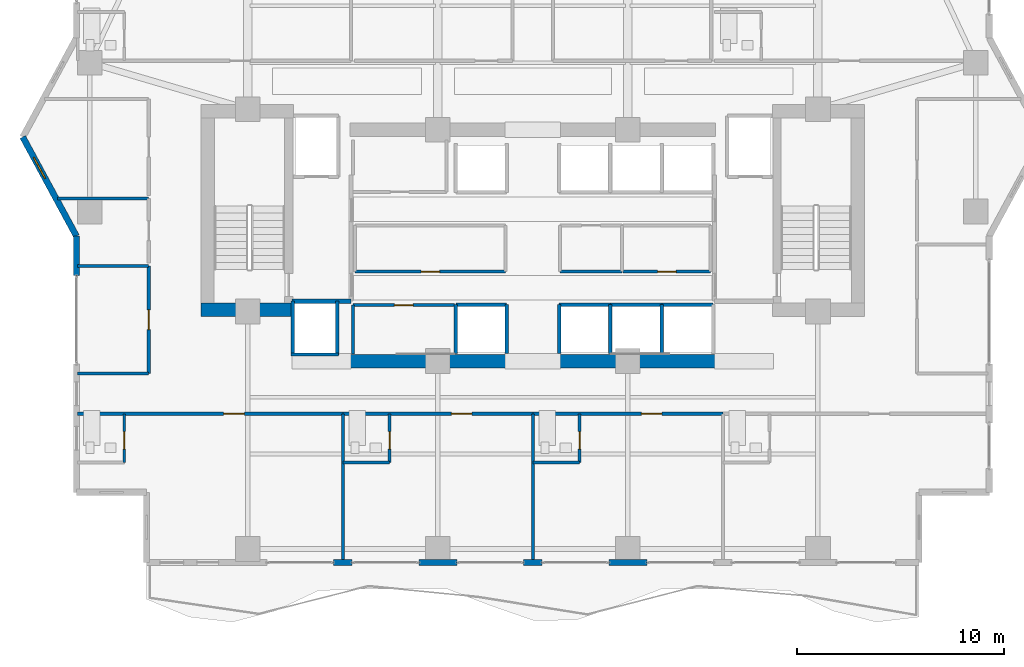
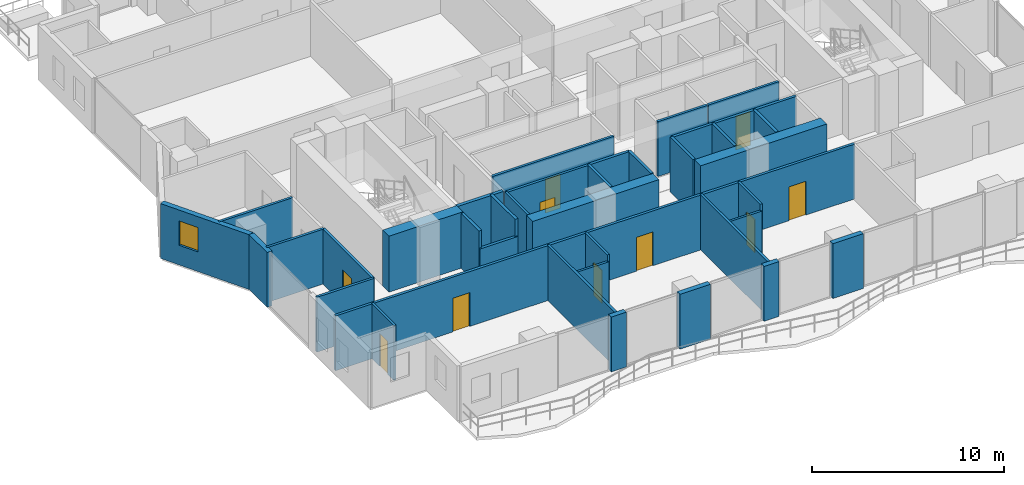
# One storey, part 24 of 33: 41 walls, 10 doors, 1 window, 11 openings.
"""IFC4 building model written with IfcOpenShell, lengths in metres."""

from ifc_helpers import new_model, si_unit, direction, frame, frame_2d, origin, place, context, subcontext, project, spatial, rectangle, extrude, material, layer, layer_set, type_object, element, fill, save


model = new_model("IFC4")

# Units and contexts
model_context = context("Model", 3, precision=1e-05, world=origin(), true_north=direction((0.0, 1.0)))
body_context = subcontext(model_context, "Body", "Model", "MODEL_VIEW")
ifc_project = project(units=[si_unit("LENGTHUNIT", "METRE"), si_unit("AREAUNIT", "SQUARE_METRE"), si_unit("VOLUMEUNIT", "CUBIC_METRE"), si_unit("PLANEANGLEUNIT", "RADIAN"), si_unit("MASSUNIT", "GRAM", prefix="KILO")], contexts=[model_context])

# Site, building, storey
site_placement = place(None, origin())
site = spatial("IfcSite", under=ifc_project, at=site_placement, CompositionType="ELEMENT")
building_placement = place(site_placement, origin())
building = spatial("IfcBuilding", under=site, at=building_placement, Name="Zuhayl Quay Hotel", CompositionType="ELEMENT")
storey_placement = place(building_placement, frame((0.0, 0.0, 229.89990234375)))
storey = spatial("IfcBuildingStorey", under=building, at=storey_placement, Name="L58", CompositionType="ELEMENT", Elevation=229.89990234375)

# Walls
ifc_material_1 = material(Name="Concrete C50/60", Category="concrete")
ifc_layer_1 = layer(ifc_material_1, 0.64990234375, Name="Concrete C50/60", Category="concrete")
ifc_layer_set_1 = layer_set([ifc_layer_1], Name="Concrete C50/60")
wall_type_1 = type_object("IfcWallType", Name="WL_CORE_650", PredefinedType="SHEAR", material=ifc_layer_set_1)
wall_1_placement = place(storey_placement, frame((-16.06005859375, 4.64501953125, 0.0), z_axis=(0.0, 0.0, 1.0), x_axis=(1.0, 0.0, 0.0)))
element("IfcWall", 1, at=wall_1_placement, inside=storey, type_object=wall_type_1, Name="L58 Core Shear Wall CW_SW", PredefinedType="SHEAR", context=body_context, shape_type="SweptSolid", body=[
    extrude(rectangle(XDim=4.4599609375, YDim=0.64990234375, at=frame_2d((2.22998046875, 0.0))), origin(), (0.0, 0.0, 1.0), 3.56005859375),
])
for number, where, z_axis, x_axis, name in (
    (2, (-8.85009765625, 2.14990234375, 0.0), (0.0, 0.0, 1.0), (1.0, 0.0, 0.0), "L58 Core Shear Wall CW_SC_W"),
    (3, (1.25, 2.14990234375, 0.0), (0.0, 0.0, 1.0), (1.0, 0.0, 0.0), "L58 Core Shear Wall CW_SC_E"),
):
    element("IfcWall", number, at=place(storey_placement, frame(where, z_axis=z_axis, x_axis=x_axis)), inside=storey, type_object=wall_type_1, Name=name, PredefinedType="SHEAR", context=body_context, shape_type="SweptSolid", body=[
        extrude(rectangle(XDim=7.60009765625, YDim=0.64990234375, at=frame_2d((3.800048828125, 0.0))), origin(), (0.0, 0.0, 1.0), 3.489990234375),
    ])
ifc_material_2 = material(Name="Precast concrete C45/55", Category="concrete")
ifc_layer_2 = layer(ifc_material_2, 0.300048828125, Name="Precast concrete C45/55", Category="concrete")
ifc_layer_set_2 = layer_set([ifc_layer_2], Name="Precast concrete C45/55")
wall_type_2 = type_object("IfcWallType", Name="WL_EXT_300", PredefinedType="STANDARD", material=ifc_layer_set_2)
wall_2_placement = place(storey_placement, frame((-22.10009765625, 6.300048828125, 0.0), z_axis=(0.0, 0.0, 1.0), x_axis=(0.0, 1.0, 0.0)))
element("IfcWall", 4, at=wall_2_placement, inside=storey, type_object=wall_type_2, Name="L58 Exterior Precast Wall ENV_L58_E02_EW2", PredefinedType="STANDARD", context=body_context, shape_type="SweptSolid", body=[
    extrude(rectangle(XDim=1.89990234375, YDim=0.300048828125, at=frame_2d((0.949951171875, 0.0))), origin(), (0.0, 0.0, 1.0), 3.489990234375),
])

# Wall, opening, window
wall_3_placement = place(storey_placement, frame((-22.10009765625, 8.199951171875, 0.0), z_axis=(0.0, 0.0, 1.0), x_axis=(-0.476258655584, 0.879305233114, 0.0)))
wall_3 = element("IfcWall", 5, at=wall_3_placement, inside=storey, type_object=wall_type_2, Name="L58 Exterior Precast Wall ENV_L58_EW03", PredefinedType="STANDARD", context=body_context, shape_type="SweptSolid", body=[
    extrude(rectangle(XDim=5.458984375, YDim=0.300048828125, at=frame_2d((2.7294921875, 0.0))), origin(), (0.0, 0.0, 1.0), 3.489990234375),
])
opening_1_placement = place(wall_3_placement, frame((3.18505859375, 0.0, 1.25)))
opening_1 = element("IfcOpeningElement", 6, at=opening_1_placement, cuts=wall_3, Name="Opening W01N", PredefinedType="OPENING", context=body_context, shape_type="SweptSolid", body=[
    extrude(rectangle(XDim=1.14990234375, YDim=1.550048828125, at=frame_2d((0.574951171875, 0.77490234375))), frame((0.0, 0.159912109375, 0.0), z_axis=(0.0, -1.0, 0.0), x_axis=(1.0, 0.0, 0.0)), (0.0, 0.0, 1.0), 0.320068359375),
])
ifc_material_3 = material(Name="Dark Ceramic-Fritted Solar Glass", Category="glass")
window_type = type_object("IfcWindowType", Name="WN_NOTCH_1350", PartitioningType="SINGLE_PANEL", PredefinedType="WINDOW", material=ifc_material_3)
window_placement = place(opening_1_placement, origin())
window = element("IfcWindow", 7, at=window_placement, inside=storey, type_object=window_type, Name="L58 Corner Notch Window 3", OverallHeight=1.550048828125, OverallWidth=1.14990234375, PartitioningType="SINGLE_PANEL", PredefinedType="WINDOW", context=body_context, shape_type="SweptSolid", body=[
    extrude(rectangle(XDim=1.14990234375, YDim=1.550048828125, at=frame_2d((0.574951171875, 0.77490234375))), frame((0.0, 0.030029296875, 0.0), z_axis=(0.0, -1.0, 0.0), x_axis=(1.0, 0.0, 0.0)), (0.0, 0.0, 1.0), 0.06005859375),
])
fill(opening_1, window)

# Walls
wall_4_placement = place(storey_placement, frame((5.52001953125, -7.60009765625, 0.0), z_axis=(0.0, 0.0, 1.0), x_axis=(-1.0, 0.0, 0.0)))
element("IfcWall", 8, at=wall_4_placement, inside=storey, type_object=wall_type_2, Name="L58 Exterior Precast Wall ENV_L58_S_EW4", PredefinedType="STANDARD", context=body_context, shape_type="SweptSolid", body=[
    extrude(rectangle(XDim=1.840087890625, YDim=0.300048828125, at=frame_2d((0.919921875, 0.0))), origin(), (0.0, 0.0, 1.0), 3.489990234375),
])
wall_5_placement = place(storey_placement, frame((0.449951171875, -7.60009765625, 0.0), z_axis=(0.0, 0.0, 1.0), x_axis=(-1.0, 0.0, 0.0)))
element("IfcWall", 9, at=wall_5_placement, inside=storey, type_object=wall_type_2, Name="L58 Exterior Precast Wall ENV_L58_S_EW5", PredefinedType="STANDARD", context=body_context, shape_type="SweptSolid", body=[
    extrude(rectangle(XDim=0.89990234375, YDim=0.300048828125, at=frame_2d((0.449951171875, 0.0))), origin(), (0.0, 0.0, 1.0), 3.489990234375),
])
wall_6_placement = place(storey_placement, frame((-3.679931640625, -7.60009765625, 0.0), z_axis=(0.0, 0.0, 1.0), x_axis=(-1.0, 0.0, 0.0)))
element("IfcWall", 10, at=wall_6_placement, inside=storey, type_object=wall_type_2, Name="L58 Exterior Precast Wall ENV_L58_S_EW6", PredefinedType="STANDARD", context=body_context, shape_type="SweptSolid", body=[
    extrude(rectangle(XDim=1.840087890625, YDim=0.300048828125, at=frame_2d((0.919921875, 0.0))), origin(), (0.0, 0.0, 1.0), 3.489990234375),
])
wall_7_placement = place(storey_placement, frame((-8.75, -7.60009765625, 0.0), z_axis=(0.0, 0.0, 1.0), x_axis=(-1.0, 0.0, 0.0)))
element("IfcWall", 11, at=wall_7_placement, inside=storey, type_object=wall_type_2, Name="L58 Exterior Precast Wall ENV_L58_S_EW7", PredefinedType="STANDARD", context=body_context, shape_type="SweptSolid", body=[
    extrude(rectangle(XDim=0.89990234375, YDim=0.300048828125, at=frame_2d((0.449951171875, 0.0))), origin(), (0.0, 0.0, 1.0), 3.489990234375),
])

# Wall, opening, door
ifc_material_4 = material(Name="Acoustic Gypsum Partition STC-58")
ifc_layer_3 = layer(ifc_material_4, 0.14990234375, Name="Acoustic Gypsum Partition STC-58")
ifc_layer_set_3 = layer_set([ifc_layer_3], Name="Acoustic Gypsum Partition STC-58")
wall_type_3 = type_object("IfcWallType", Name="WL_PART_150", PredefinedType="PARTITIONING", material=ifc_layer_set_3)
wall_8_placement = place(storey_placement, frame((-8.7099609375, 4.860107421875, 0.0), z_axis=(0.0, 0.0, 1.0), x_axis=(1.0, 0.0, 0.0)))
wall_8 = element("IfcWall", 12, at=wall_8_placement, inside=storey, type_object=wall_type_3, Name="L58 Partition IW_L58_FLP_S_N", PredefinedType="PARTITIONING", context=body_context, shape_type="SweptSolid", body=[
    extrude(rectangle(XDim=4.919921875, YDim=0.14990234375, at=frame_2d((2.4599609375, 0.0))), origin(), (0.0, 0.0, 1.0), 3.489990234375),
])
opening_2_placement = place(wall_8_placement, frame((2.010009765625, 0.0, 0.0)))
opening_2 = element("IfcOpeningElement", 13, at=opening_2_placement, cuts=wall_8, Name="Opening D06", PredefinedType="OPENING", context=body_context, shape_type="SweptSolid", body=[
    extrude(rectangle(XDim=0.89990234375, YDim=2.14990234375, at=frame_2d((0.449951171875, 1.074951171875))), frame((0.0, 0.0849609375, 0.0), z_axis=(0.0, -1.0, 0.0), x_axis=(1.0, 0.0, 0.0)), (0.0, 0.0, 1.0), 0.169921875),
])
ifc_material_5 = material(Name="Steel ASTM A992 Grade 50", Category="steel")
door_type_1 = type_object("IfcDoorType", Name="DR_INT_900", OperationType="NOTDEFINED", PredefinedType="DOOR", material=ifc_material_5)
door_1_placement = place(opening_2_placement, origin())
door_1 = element("IfcDoor", 14, at=door_1_placement, inside=storey, type_object=door_type_1, Name="L58 Sky-Zone Butler Servery Door", OperationType="SINGLE_SWING_LEFT", OverallHeight=2.14990234375, OverallWidth=0.89990234375, PredefinedType="DOOR", context=body_context, shape_type="SweptSolid", body=[
    extrude(rectangle(XDim=0.89990234375, YDim=2.14990234375, at=frame_2d((0.449951171875, 1.074951171875))), frame((0.0, 0.02490234375, 0.0), z_axis=(0.0, -1.0, 0.0), x_axis=(1.0, 0.0, 0.0)), (0.0, 0.0, 1.0), 0.050048828125),
])
fill(opening_2, door_1)

wall_9_placement = place(storey_placement, frame((-8.610107421875, 6.47998046875, 0.0), z_axis=(0.0, 0.0, 1.0), x_axis=(1.0, 0.0, 0.0)))
wall_9 = element("IfcWall", 15, at=wall_9_placement, inside=storey, type_object=wall_type_3, Name="L58 Partition IW_L58_CORE_EL_S", PredefinedType="PARTITIONING", context=body_context, shape_type="SweptSolid", body=[
    extrude(rectangle(XDim=7.2900390625, YDim=0.14990234375, at=frame_2d((3.64501953125, 0.0))), origin(), (0.0, 0.0, 1.0), 3.489990234375),
])
opening_3_placement = place(wall_9_placement, frame((3.195068359375, 0.0, 0.0)))
opening_3 = element("IfcOpeningElement", 16, at=opening_3_placement, cuts=wall_9, Name="Opening D06", PredefinedType="OPENING", context=body_context, shape_type="SweptSolid", body=[
    extrude(rectangle(XDim=0.89990234375, YDim=2.14990234375, at=frame_2d((0.449951171875, 1.074951171875))), frame((0.0, 0.0849609375, 0.0), z_axis=(0.0, -1.0, 0.0), x_axis=(1.0, 0.0, 0.0)), (0.0, 0.0, 1.0), 0.169921875),
])
door_2_placement = place(opening_3_placement, origin())
door_2 = element("IfcDoor", 17, at=door_2_placement, inside=storey, type_object=door_type_1, Name="L58 Floor Electrical Plant Room Door", OperationType="SINGLE_SWING_LEFT", OverallHeight=2.14990234375, OverallWidth=0.89990234375, PredefinedType="DOOR", context=body_context, shape_type="SweptSolid", body=[
    extrude(rectangle(XDim=0.89990234375, YDim=2.14990234375, at=frame_2d((0.449951171875, 1.074951171875))), frame((0.0, 0.02490234375, 0.0), z_axis=(0.0, -1.0, 0.0), x_axis=(1.0, 0.0, 0.0)), (0.0, 0.0, 1.0), 0.050048828125),
])
fill(opening_3, door_2)

wall_10_placement = place(storey_placement, frame((4.3701171875, 6.47998046875, 0.0), z_axis=(0.0, 0.0, 1.0), x_axis=(1.0, 0.0, 0.0)))
wall_10 = element("IfcWall", 18, at=wall_10_placement, inside=storey, type_object=wall_type_3, Name="L58 Partition IW_L58_CORE_LN_S", PredefinedType="PARTITIONING", context=body_context, shape_type="SweptSolid", body=[
    extrude(rectangle(XDim=4.239990234375, YDim=0.14990234375, at=frame_2d((2.1201171875, 0.0))), origin(), (0.0, 0.0, 1.0), 3.489990234375),
])
opening_4_placement = place(wall_10_placement, frame((1.669921875, 0.0, 0.0)))
opening_4 = element("IfcOpeningElement", 19, at=opening_4_placement, cuts=wall_10, Name="Opening D06", PredefinedType="OPENING", context=body_context, shape_type="SweptSolid", body=[
    extrude(rectangle(XDim=0.89990234375, YDim=2.14990234375, at=frame_2d((0.449951171875, 1.074951171875))), frame((0.0, 0.0849609375, 0.0), z_axis=(0.0, -1.0, 0.0), x_axis=(1.0, 0.0, 0.0)), (0.0, 0.0, 1.0), 0.169921875),
])
door_3_placement = place(opening_4_placement, origin())
door_3 = element("IfcDoor", 20, at=door_3_placement, inside=storey, type_object=door_type_1, Name="L58 Core Linen Store Door", OperationType="SINGLE_SWING_LEFT", OverallHeight=2.14990234375, OverallWidth=0.89990234375, PredefinedType="DOOR", context=body_context, shape_type="SweptSolid", body=[
    extrude(rectangle(XDim=0.89990234375, YDim=2.14990234375, at=frame_2d((0.449951171875, 1.074951171875))), frame((0.0, 0.02490234375, 0.0), z_axis=(0.0, -1.0, 0.0), x_axis=(1.0, 0.0, 0.0)), (0.0, 0.0, 1.0), 0.050048828125),
])
fill(opening_4, door_3)

# Walls
wall_11_placement = place(storey_placement, frame((-8.7099609375, 2.489990234375, 0.0), z_axis=(0.0, 0.0, 1.0), x_axis=(0.0, 1.0, 0.0)))
element("IfcWall", 21, at=wall_11_placement, inside=storey, type_object=wall_type_3, Name="L58 Partition IW_L58_FLP_S_W", PredefinedType="PARTITIONING", context=body_context, shape_type="SweptSolid", body=[
    extrude(rectangle(XDim=2.3701171875, YDim=0.14990234375, at=frame_2d((1.18505859375, 0.0))), origin(), (0.0, 0.0, 1.0), 3.489990234375),
])
wall_12_placement = place(storey_placement, frame((1.320068359375, 6.47998046875, 0.0), z_axis=(0.0, 0.0, 1.0), x_axis=(1.0, 0.0, 0.0)))
element("IfcWall", 22, at=wall_12_placement, inside=storey, type_object=wall_type_3, Name="L58 Partition IW_L58_CORE_IT_S", PredefinedType="PARTITIONING", context=body_context, shape_type="SweptSolid", body=[
    extrude(rectangle(XDim=2.989990234375, YDim=0.14990234375, at=frame_2d((1.4951171875, 0.0))), origin(), (0.0, 0.0, 1.0), 3.489990234375),
])
for number, where, z_axis, x_axis, name in (
    (23, (-9.199951171875, -7.52001953125, 0.0), (0.0, 0.0, 1.0), (0.0, 1.0, 0.0), "L58 Partition IW_L58_SU01_E"),
    (24, (0.0, -7.52001953125, 0.0), (0.0, 0.0, 1.0), (0.0, 1.0, 0.0), "L58 Partition IW_L58_SU02_E"),
):
    element("IfcWall", number, at=place(storey_placement, frame(where, z_axis=z_axis, x_axis=x_axis)), inside=storey, type_object=wall_type_3, Name=name, PredefinedType="PARTITIONING", context=body_context, shape_type="SweptSolid", body=[
        extrude(rectangle(XDim=7.1201171875, YDim=0.14990234375, at=frame_2d((3.56005859375, 0.0))), origin(), (0.0, 0.0, 1.0), 3.489990234375),
    ])
for number, where, z_axis, x_axis, name in (
    (25, (-22.0400390625, 1.550048828125, 0.0), (0.0, 0.0, 1.0), (1.0, 0.0, 0.0), "L58 Partition IW_L58_WPROW_1_S"),
    (26, (-22.0400390625, 6.75, 0.0), (0.0, 0.0, 1.0), (1.0, 0.0, 0.0), "L58 Partition IW_L58_WPROW_1_N"),
):
    element("IfcWall", number, at=place(storey_placement, frame(where, z_axis=z_axis, x_axis=x_axis)), inside=storey, type_object=wall_type_3, Name=name, PredefinedType="PARTITIONING", context=body_context, shape_type="SweptSolid", body=[
        extrude(rectangle(XDim=3.43994140625, YDim=0.14990234375, at=frame_2d((1.719970703125, 0.0))), origin(), (0.0, 0.0, 1.0), 3.489990234375),
    ])
wall_13_placement = place(storey_placement, frame((-23.02587890625, 10.02001953125, 0.0), z_axis=(0.0, 0.0, 1.0), x_axis=(1.0, 0.0, 0.0)))
element("IfcWall", 27, at=wall_13_placement, inside=storey, type_object=wall_type_3, Name="L58 Partition IW_L58_WPROW_2_N", PredefinedType="PARTITIONING", context=body_context, shape_type="SweptSolid", body=[
    extrude(rectangle(XDim=4.42578125, YDim=0.14990234375, at=frame_2d((2.212890625, 0.0))), origin(), (0.0, 0.0, 1.0), 3.489990234375),
])

# Wall, opening, door
ifc_layer_4 = layer(ifc_material_4, 0.159912109375, Name="Acoustic Gypsum Partition STC-58")
ifc_layer_set_4 = layer_set([ifc_layer_4], Name="Acoustic Gypsum Partition STC-58")
wall_type_4 = type_object("IfcWallType", Name="WL_PART_CORR_160", PredefinedType="PARTITIONING", material=ifc_layer_set_4)
wall_14_placement = place(storey_placement, frame((-22.0400390625, -0.39990234375, 0.0), z_axis=(0.0, 0.0, 1.0), x_axis=(1.0, 0.0, 0.0)))
wall_14 = element("IfcWall", 28, at=wall_14_placement, inside=storey, type_object=wall_type_4, Name="L58 Partition IW_L58_SU01_COR", PredefinedType="PARTITIONING", context=body_context, shape_type="SweptSolid", body=[
    extrude(rectangle(XDim=12.840087890625, YDim=0.159912109375, at=frame_2d((6.419921875, 0.0))), origin(), (0.0, 0.0, 1.0), 3.489990234375),
])
opening_5_placement = place(wall_14_placement, frame((7.070068359375, 0.0, 0.0)))
opening_5 = element("IfcOpeningElement", 29, at=opening_5_placement, cuts=wall_14, Name="Opening D03L", PredefinedType="OPENING", context=body_context, shape_type="SweptSolid", body=[
    extrude(rectangle(XDim=1.0, YDim=2.14990234375, at=frame_2d((0.5, 1.074951171875))), frame((0.0, 0.08984375, 0.0), z_axis=(0.0, -1.0, 0.0), x_axis=(1.0, 0.0, 0.0)), (0.0, 0.0, 1.0), 0.179931640625),
])
ifc_material_6 = material(Name="Solid Walnut Acoustic Fire Door")
door_type_2 = type_object("IfcDoorType", Name="DR_SUITE_1000", OperationType="NOTDEFINED", PredefinedType="DOOR", material=ifc_material_6)
door_4_placement = place(opening_5_placement, origin())
door_4 = element("IfcDoor", 30, at=door_4_placement, inside=storey, type_object=door_type_2, Name="L58 City-View Junior Suite L58-01 Entrance Door", OperationType="SINGLE_SWING_LEFT", OverallHeight=2.14990234375, OverallWidth=1.0, PredefinedType="DOOR", context=body_context, shape_type="SweptSolid", body=[
    extrude(rectangle(XDim=1.0, YDim=2.14990234375, at=frame_2d((0.5, 1.074951171875))), frame((0.0, 0.02490234375, 0.0), z_axis=(0.0, -1.0, 0.0), x_axis=(1.0, 0.0, 0.0)), (0.0, 0.0, 1.0), 0.050048828125),
])
fill(opening_5, door_4)

wall_15_placement = place(storey_placement, frame((-9.199951171875, -0.39990234375, 0.0), z_axis=(0.0, 0.0, 1.0), x_axis=(1.0, 0.0, 0.0)))
wall_15 = element("IfcWall", 31, at=wall_15_placement, inside=storey, type_object=wall_type_4, Name="L58 Partition IW_L58_SU02_COR", PredefinedType="PARTITIONING", context=body_context, shape_type="SweptSolid", body=[
    extrude(rectangle(XDim=9.199951171875, YDim=0.159912109375, at=frame_2d((4.60009765625, 0.0))), origin(), (0.0, 0.0, 1.0), 3.489990234375),
])
opening_6_placement = place(wall_15_placement, frame((5.25, 0.0, 0.0)))
opening_6 = element("IfcOpeningElement", 32, at=opening_6_placement, cuts=wall_15, Name="Opening D03L", PredefinedType="OPENING", context=body_context, shape_type="SweptSolid", body=[
    extrude(rectangle(XDim=1.0, YDim=2.14990234375, at=frame_2d((0.5, 1.074951171875))), frame((0.0, 0.08984375, 0.0), z_axis=(0.0, -1.0, 0.0), x_axis=(1.0, 0.0, 0.0)), (0.0, 0.0, 1.0), 0.179931640625),
])
door_5_placement = place(opening_6_placement, origin())
door_5 = element("IfcDoor", 33, at=door_5_placement, inside=storey, type_object=door_type_2, Name="L58 City-View Junior Suite L58-02 Entrance Door", OperationType="SINGLE_SWING_LEFT", OverallHeight=2.14990234375, OverallWidth=1.0, PredefinedType="DOOR", context=body_context, shape_type="SweptSolid", body=[
    extrude(rectangle(XDim=1.0, YDim=2.14990234375, at=frame_2d((0.5, 1.074951171875))), frame((0.0, 0.02490234375, 0.0), z_axis=(0.0, -1.0, 0.0), x_axis=(1.0, 0.0, 0.0)), (0.0, 0.0, 1.0), 0.050048828125),
])
fill(opening_6, door_5)

wall_16_placement = place(storey_placement, frame((0.0, -0.39990234375, 0.0), z_axis=(0.0, 0.0, 1.0), x_axis=(1.0, 0.0, 0.0)))
wall_16 = element("IfcWall", 34, at=wall_16_placement, inside=storey, type_object=wall_type_4, Name="L58 Partition IW_L58_SU03_COR", PredefinedType="PARTITIONING", context=body_context, shape_type="SweptSolid", body=[
    extrude(rectangle(XDim=9.199951171875, YDim=0.159912109375, at=frame_2d((4.60009765625, 0.0))), origin(), (0.0, 0.0, 1.0), 3.489990234375),
])
opening_7_placement = place(wall_16_placement, frame((5.25, 0.0, 0.0)))
opening_7 = element("IfcOpeningElement", 35, at=opening_7_placement, cuts=wall_16, Name="Opening D03L", PredefinedType="OPENING", context=body_context, shape_type="SweptSolid", body=[
    extrude(rectangle(XDim=1.0, YDim=2.14990234375, at=frame_2d((0.5, 1.074951171875))), frame((0.0, 0.08984375, 0.0), z_axis=(0.0, -1.0, 0.0), x_axis=(1.0, 0.0, 0.0)), (0.0, 0.0, 1.0), 0.179931640625),
])
door_6_placement = place(opening_7_placement, origin())
door_6 = element("IfcDoor", 36, at=door_6_placement, inside=storey, type_object=door_type_2, Name="L58 City-View Junior Suite L58-03 Entrance Door", OperationType="SINGLE_SWING_LEFT", OverallHeight=2.14990234375, OverallWidth=1.0, PredefinedType="DOOR", context=body_context, shape_type="SweptSolid", body=[
    extrude(rectangle(XDim=1.0, YDim=2.14990234375, at=frame_2d((0.5, 1.074951171875))), frame((0.0, 0.02490234375, 0.0), z_axis=(0.0, -1.0, 0.0), x_axis=(1.0, 0.0, 0.0)), (0.0, 0.0, 1.0), 0.050048828125),
])
fill(opening_7, door_6)

wall_17_placement = place(storey_placement, frame((-18.60009765625, 1.550048828125, 0.0), z_axis=(0.0, 0.0, 1.0), x_axis=(0.0, 1.0, 0.0)))
wall_17 = element("IfcWall", 37, at=wall_17_placement, inside=storey, type_object=wall_type_4, Name="L58 Partition IW_L58_WPROW_1_E", PredefinedType="PARTITIONING", context=body_context, shape_type="SweptSolid", body=[
    extrude(rectangle(XDim=5.199951171875, YDim=0.159912109375, at=frame_2d((2.60009765625, 0.0))), origin(), (0.0, 0.0, 1.0), 3.489990234375),
])
opening_8_placement = place(wall_17_placement, frame((2.125, 0.0, 0.0)))
opening_8 = element("IfcOpeningElement", 38, at=opening_8_placement, cuts=wall_17, Name="Opening D03", PredefinedType="OPENING", context=body_context, shape_type="SweptSolid", body=[
    extrude(rectangle(XDim=0.949951171875, YDim=2.14990234375, at=frame_2d((0.47509765625, 1.074951171875))), frame((0.0, 0.08984375, 0.0), z_axis=(0.0, -1.0, 0.0), x_axis=(1.0, 0.0, 0.0)), (0.0, 0.0, 1.0), 0.179931640625),
])
door_type_3 = type_object("IfcDoorType", Name="DR_SUITE_950", OperationType="NOTDEFINED", PredefinedType="DOOR", material=ifc_material_6)
door_7_placement = place(opening_8_placement, origin())
door_7 = element("IfcDoor", 39, at=door_7_placement, inside=storey, type_object=door_type_3, Name="L58 West Prow Office L58 Door", OperationType="SINGLE_SWING_RIGHT", OverallHeight=2.14990234375, OverallWidth=0.949951171875, PredefinedType="DOOR", context=body_context, shape_type="SweptSolid", body=[
    extrude(rectangle(XDim=0.949951171875, YDim=2.14990234375, at=frame_2d((0.47509765625, 1.074951171875))), frame((0.0, 0.02490234375, 0.0), z_axis=(0.0, -1.0, 0.0), x_axis=(1.0, 0.0, 0.0)), (0.0, 0.0, 1.0), 0.050048828125),
])
fill(opening_8, door_7)

ifc_material_7 = material(Name="Moisture-Resistant Sanitarychase Gypsum")
ifc_layer_5 = layer(ifc_material_7, 0.135009765625, Name="Moisture-Resistant Sanitarychase Gypsum")
ifc_layer_set_5 = layer_set([ifc_layer_5], Name="Moisture-Resistant Sanitarychase Gypsum")
wall_type_5 = type_object("IfcWallType", Name="WL_PART_PLUMB_150", PredefinedType="PLUMBINGWALL", material=ifc_layer_set_5)
wall_18_placement = place(storey_placement, frame((-19.780029296875, -2.760009765625, 0.0), z_axis=(0.0, 0.0, 1.0), x_axis=(0.0, 1.0, 0.0)))
wall_18 = element("IfcWall", 40, at=wall_18_placement, inside=storey, type_object=wall_type_5, Name="L58 Partition IW_L58_SU01_BE", PredefinedType="PLUMBINGWALL", context=body_context, shape_type="SweptSolid", body=[
    extrude(rectangle(XDim=2.360107421875, YDim=0.135009765625, at=frame_2d((1.18017578125, 0.0))), origin(), (0.0, 0.0, 1.0), 3.489990234375),
])
opening_9_placement = place(wall_18_placement, frame((0.64990234375, 0.0, 0.0)))
opening_9 = element("IfcOpeningElement", 41, at=opening_9_placement, cuts=wall_18, Name="Opening D04", PredefinedType="OPENING", context=body_context, shape_type="SweptSolid", body=[
    extrude(rectangle(XDim=0.85009765625, YDim=2.10009765625, at=frame_2d((0.425048828125, 1.050048828125))), frame((0.0, 0.077392578125, 0.0), z_axis=(0.0, -1.0, 0.0), x_axis=(1.0, 0.0, 0.0)), (0.0, 0.0, 1.0), 0.155029296875),
])
ifc_material_8 = material(Name="Moisture-Resistant Walnut Veneer")
door_type_4 = type_object("IfcDoorType", Name="DR_BATH_850", OperationType="NOTDEFINED", PredefinedType="DOOR", material=ifc_material_8)
door_8_placement = place(opening_9_placement, origin())
door_8 = element("IfcDoor", 42, at=door_8_placement, inside=storey, type_object=door_type_4, Name="L58 City-View Junior Suite L58-01 En-Suite Door", OperationType="SINGLE_SWING_RIGHT", OverallHeight=2.10009765625, OverallWidth=0.85009765625, PredefinedType="DOOR", context=body_context, shape_type="SweptSolid", body=[
    extrude(rectangle(XDim=0.85009765625, YDim=2.10009765625, at=frame_2d((0.425048828125, 1.050048828125))), frame((0.0, 0.02490234375, 0.0), z_axis=(0.0, -1.0, 0.0), x_axis=(1.0, 0.0, 0.0)), (0.0, 0.0, 1.0), 0.050048828125),
])
fill(opening_9, door_8)

wall_19_placement = place(storey_placement, frame((-6.93994140625, -2.760009765625, 0.0), z_axis=(0.0, 0.0, 1.0), x_axis=(0.0, 1.0, 0.0)))
wall_19 = element("IfcWall", 43, at=wall_19_placement, inside=storey, type_object=wall_type_5, Name="L58 Partition IW_L58_SU02_BE", PredefinedType="PLUMBINGWALL", context=body_context, shape_type="SweptSolid", body=[
    extrude(rectangle(XDim=2.360107421875, YDim=0.135009765625, at=frame_2d((1.18017578125, 0.0))), origin(), (0.0, 0.0, 1.0), 3.489990234375),
])
opening_10_placement = place(wall_19_placement, frame((0.64990234375, 0.0, 0.0)))
opening_10 = element("IfcOpeningElement", 44, at=opening_10_placement, cuts=wall_19, Name="Opening D04", PredefinedType="OPENING", context=body_context, shape_type="SweptSolid", body=[
    extrude(rectangle(XDim=0.85009765625, YDim=2.10009765625, at=frame_2d((0.425048828125, 1.050048828125))), frame((0.0, 0.077392578125, 0.0), z_axis=(0.0, -1.0, 0.0), x_axis=(1.0, 0.0, 0.0)), (0.0, 0.0, 1.0), 0.155029296875),
])
door_9_placement = place(opening_10_placement, origin())
door_9 = element("IfcDoor", 45, at=door_9_placement, inside=storey, type_object=door_type_4, Name="L58 City-View Junior Suite L58-02 En-Suite Door", OperationType="SINGLE_SWING_RIGHT", OverallHeight=2.10009765625, OverallWidth=0.85009765625, PredefinedType="DOOR", context=body_context, shape_type="SweptSolid", body=[
    extrude(rectangle(XDim=0.85009765625, YDim=2.10009765625, at=frame_2d((0.425048828125, 1.050048828125))), frame((0.0, 0.02490234375, 0.0), z_axis=(0.0, -1.0, 0.0), x_axis=(1.0, 0.0, 0.0)), (0.0, 0.0, 1.0), 0.050048828125),
])
fill(opening_10, door_9)

wall_20_placement = place(storey_placement, frame((2.260009765625, -2.760009765625, 0.0), z_axis=(0.0, 0.0, 1.0), x_axis=(0.0, 1.0, 0.0)))
wall_20 = element("IfcWall", 46, at=wall_20_placement, inside=storey, type_object=wall_type_5, Name="L58 Partition IW_L58_SU03_BE", PredefinedType="PLUMBINGWALL", context=body_context, shape_type="SweptSolid", body=[
    extrude(rectangle(XDim=2.360107421875, YDim=0.135009765625, at=frame_2d((1.18017578125, 0.0))), origin(), (0.0, 0.0, 1.0), 3.489990234375),
])
opening_11_placement = place(wall_20_placement, frame((0.64990234375, 0.0, 0.0)))
opening_11 = element("IfcOpeningElement", 47, at=opening_11_placement, cuts=wall_20, Name="Opening D04", PredefinedType="OPENING", context=body_context, shape_type="SweptSolid", body=[
    extrude(rectangle(XDim=0.85009765625, YDim=2.10009765625, at=frame_2d((0.425048828125, 1.050048828125))), frame((0.0, 0.077392578125, 0.0), z_axis=(0.0, -1.0, 0.0), x_axis=(1.0, 0.0, 0.0)), (0.0, 0.0, 1.0), 0.155029296875),
])
door_10_placement = place(opening_11_placement, origin())
door_10 = element("IfcDoor", 48, at=door_10_placement, inside=storey, type_object=door_type_4, Name="L58 City-View Junior Suite L58-03 En-Suite Door", OperationType="SINGLE_SWING_RIGHT", OverallHeight=2.10009765625, OverallWidth=0.85009765625, PredefinedType="DOOR", context=body_context, shape_type="SweptSolid", body=[
    extrude(rectangle(XDim=0.85009765625, YDim=2.10009765625, at=frame_2d((0.425048828125, 1.050048828125))), frame((0.0, 0.02490234375, 0.0), z_axis=(0.0, -1.0, 0.0), x_axis=(1.0, 0.0, 0.0)), (0.0, 0.0, 1.0), 0.050048828125),
])
fill(opening_11, door_10)

# Walls
for number, where, z_axis, x_axis, name in (
    (49, (-9.199951171875, -2.760009765625, 0.0), (0.0, 0.0, 1.0), (1.0, 0.0, 0.0), "L58 Partition IW_L58_SU02_BS"),
    (50, (0.0, -2.760009765625, 0.0), (0.0, 0.0, 1.0), (1.0, 0.0, 0.0), "L58 Partition IW_L58_SU03_BS"),
):
    element("IfcWall", number, at=place(storey_placement, frame(where, z_axis=z_axis, x_axis=x_axis)), inside=storey, type_object=wall_type_5, Name=name, PredefinedType="PLUMBINGWALL", context=body_context, shape_type="SweptSolid", body=[
        extrude(rectangle(XDim=2.260009765625, YDim=0.135009765625, at=frame_2d((1.1298828125, 0.0))), origin(), (0.0, 0.0, 1.0), 3.083984375),
    ])
ifc_material_9 = material(Name="Gypsum Fireboard Assembly EI-90")
ifc_layer_6 = layer(ifc_material_9, 0.1650390625, Name="Gypsum Fireboard Assembly EI-90")
ifc_layer_set_6 = layer_set([ifc_layer_6], Name="Gypsum Fireboard Assembly EI-90")
wall_type_6 = type_object("IfcWallType", Name="WL_PART_SHAFT_160", PredefinedType="PARTITIONING", material=ifc_layer_set_6)
wall_21_placement = place(storey_placement, frame((-3.72998046875, 4.8798828125, 0.0), z_axis=(0.0, 0.0, 1.0), x_axis=(1.0, 0.0, 0.0)))
element("IfcWall", 51, at=wall_21_placement, inside=storey, type_object=wall_type_6, Name="L58 Partition IW_L58_SH_MP1_F", PredefinedType="PARTITIONING", context=body_context, shape_type="SweptSolid", body=[
    extrude(rectangle(XDim=2.4599609375, YDim=0.1650390625, at=frame_2d((1.22998046875, 0.0))), origin(), (0.0, 0.0, 1.0), 3.489990234375),
])
for number, where, z_axis, x_axis, name in (
    (52, (-3.72998046875, 2.52001953125, 0.0), (0.0, 0.0, 1.0), (0.0, 1.0, 0.0), "L58 Partition IW_L58_SH_MP1_W"),
    (53, (-1.27001953125, 2.52001953125, 0.0), (0.0, 0.0, 1.0), (0.0, 1.0, 0.0), "L58 Partition IW_L58_SH_MP1_E"),
):
    element("IfcWall", number, at=place(storey_placement, frame(where, z_axis=z_axis, x_axis=x_axis)), inside=storey, type_object=wall_type_6, Name=name, PredefinedType="PARTITIONING", context=body_context, shape_type="SweptSolid", body=[
        extrude(rectangle(XDim=2.35986328125, YDim=0.1650390625, at=frame_2d((1.179931640625, 0.0))), origin(), (0.0, 0.0, 1.0), 3.489990234375),
    ])
wall_22_placement = place(storey_placement, frame((1.27001953125, 4.8798828125, 0.0), z_axis=(0.0, 0.0, 1.0), x_axis=(1.0, 0.0, 0.0)))
element("IfcWall", 54, at=wall_22_placement, inside=storey, type_object=wall_type_6, Name="L58 Partition IW_L58_SH_MP2_F", PredefinedType="PARTITIONING", context=body_context, shape_type="SweptSolid", body=[
    extrude(rectangle(XDim=2.47998046875, YDim=0.1650390625, at=frame_2d((1.239990234375, 0.0))), origin(), (0.0, 0.0, 1.0), 3.489990234375),
])
for number, where, z_axis, x_axis, name in (
    (55, (1.27001953125, 2.52001953125, 0.0), (0.0, 0.0, 1.0), (0.0, 1.0, 0.0), "L58 Partition IW_L58_SH_MP2_W"),
    (56, (3.75, 2.52001953125, 0.0), (0.0, 0.0, 1.0), (0.0, 1.0, 0.0), "L58 Partition IW_L58_SH_MP2_E"),
):
    element("IfcWall", number, at=place(storey_placement, frame(where, z_axis=z_axis, x_axis=x_axis)), inside=storey, type_object=wall_type_6, Name=name, PredefinedType="PARTITIONING", context=body_context, shape_type="SweptSolid", body=[
        extrude(rectangle(XDim=2.35986328125, YDim=0.1650390625, at=frame_2d((1.179931640625, 0.0))), origin(), (0.0, 0.0, 1.0), 3.489990234375),
    ])
wall_23_placement = place(storey_placement, frame((3.75, 4.8798828125, 0.0), z_axis=(0.0, 0.0, 1.0), x_axis=(1.0, 0.0, 0.0)))
element("IfcWall", 57, at=wall_23_placement, inside=storey, type_object=wall_type_6, Name="L58 Partition IW_L58_SH_HP1_F", PredefinedType="PARTITIONING", context=body_context, shape_type="SweptSolid", body=[
    extrude(rectangle(XDim=2.5, YDim=0.1650390625, at=frame_2d((1.25, 0.0))), origin(), (0.0, 0.0, 1.0), 3.489990234375),
])
wall_24_placement = place(storey_placement, frame((6.25, 2.52001953125, 0.0), z_axis=(0.0, 0.0, 1.0), x_axis=(0.0, 1.0, 0.0)))
element("IfcWall", 58, at=wall_24_placement, inside=storey, type_object=wall_type_6, Name="L58 Partition IW_L58_SH_HP1_E", PredefinedType="PARTITIONING", context=body_context, shape_type="SweptSolid", body=[
    extrude(rectangle(XDim=2.35986328125, YDim=0.1650390625, at=frame_2d((1.179931640625, 0.0))), origin(), (0.0, 0.0, 1.0), 3.489990234375),
])
wall_25_placement = place(storey_placement, frame((6.25, 4.8798828125, 0.0), z_axis=(0.0, 0.0, 1.0), x_axis=(1.0, 0.0, 0.0)))
element("IfcWall", 59, at=wall_25_placement, inside=storey, type_object=wall_type_6, Name="L58 Partition IW_L58_SH_HP2_F", PredefinedType="PARTITIONING", context=body_context, shape_type="SweptSolid", body=[
    extrude(rectangle(XDim=2.47998046875, YDim=0.1650390625, at=frame_2d((1.239990234375, 0.0))), origin(), (0.0, 0.0, 1.0), 3.489990234375),
])
wall_26_placement = place(storey_placement, frame((-11.6298828125, 2.469970703125, 0.0), z_axis=(0.0, 0.0, 1.0), x_axis=(0.0, 1.0, 0.0)))
element("IfcWall", 60, at=wall_26_placement, inside=storey, type_object=wall_type_6, Name="L58 Partition IW_L58_RISER_W", PredefinedType="PARTITIONING", context=body_context, shape_type="SweptSolid", body=[
    extrude(rectangle(XDim=2.580078125, YDim=0.1650390625, at=frame_2d((1.2900390625, 0.0))), origin(), (0.0, 0.0, 1.0), 3.489990234375),
])
wall_27_placement = place(storey_placement, frame((-11.7099609375, 2.469970703125, 0.0), z_axis=(0.0, 0.0, 1.0), x_axis=(1.0, 0.0, 0.0)))
element("IfcWall", 61, at=wall_27_placement, inside=storey, type_object=wall_type_6, Name="L58 Partition IW_L58_RISER_S", PredefinedType="PARTITIONING", context=body_context, shape_type="SweptSolid", body=[
    extrude(rectangle(XDim=2.31005859375, YDim=0.1650390625, at=frame_2d((1.155029296875, 0.0))), origin(), (0.0, 0.0, 1.0), 2.39013671875),
])
ifc_layer_7 = layer(ifc_material_9, 0.179931640625, Name="Gypsum Fireboard Assembly EI-90")
ifc_layer_set_7 = layer_set([ifc_layer_7], Name="Gypsum Fireboard Assembly EI-90")
wall_type_7 = type_object("IfcWallType", Name="WL_PART_SHAFT_180", PredefinedType="PARTITIONING", material=ifc_layer_set_7)
wall_28_placement = place(storey_placement, frame((-9.469970703125, 2.449951171875, 0.0), z_axis=(0.0, 0.0, 1.0), x_axis=(0.0, 1.0, 0.0)))
element("IfcWall", 62, at=wall_28_placement, inside=storey, type_object=wall_type_7, Name="L58 Partition IW_L58_RISER_E", PredefinedType="PARTITIONING", context=body_context, shape_type="SweptSolid", body=[
    extrude(rectangle(XDim=2.60009765625, YDim=0.179931640625, at=frame_2d((1.300048828125, 0.0))), origin(), (0.0, 0.0, 1.0), 3.489990234375),
])
ifc_material_10 = material(Name="Gypsum Fireboard Assembly EI-120")
ifc_layer_8 = layer(ifc_material_10, 0.199951171875, Name="Gypsum Fireboard Assembly EI-120")
ifc_layer_set_8 = layer_set([ifc_layer_8], Name="Gypsum Fireboard Assembly EI-120")
wall_type_8 = type_object("IfcWallType", Name="WL_PART_SHAFT_200", PredefinedType="PARTITIONING", material=ifc_layer_set_8)
wall_29_placement = place(storey_placement, frame((-11.64990234375, 5.050048828125, 0.0), z_axis=(0.0, 0.0, 1.0), x_axis=(1.0, 0.0, 0.0)))
element("IfcWall", 63, at=wall_29_placement, inside=storey, type_object=wall_type_8, Name="L58 Partition IW_L58_FSAE_W_S", PredefinedType="PARTITIONING", context=body_context, shape_type="SweptSolid", body=[
    extrude(rectangle(XDim=2.849853515625, YDim=0.199951171875, at=frame_2d((1.4248046875, 0.0))), origin(), (0.0, 0.0, 1.0), 3.489990234375),
])

save(model, "model.ifc")
